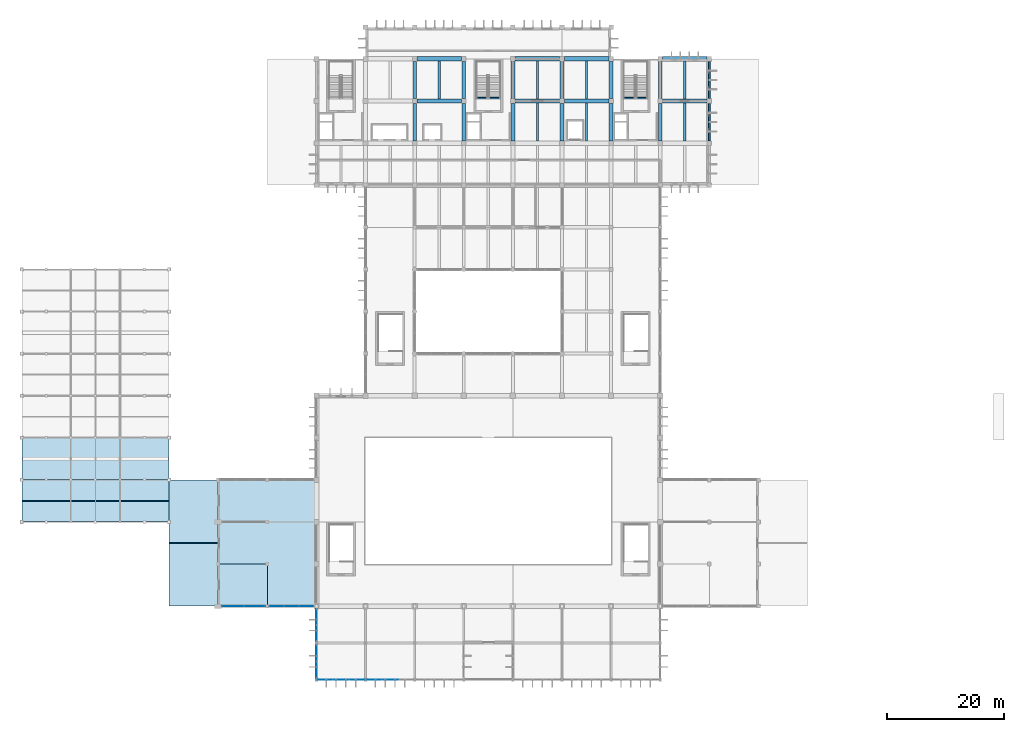
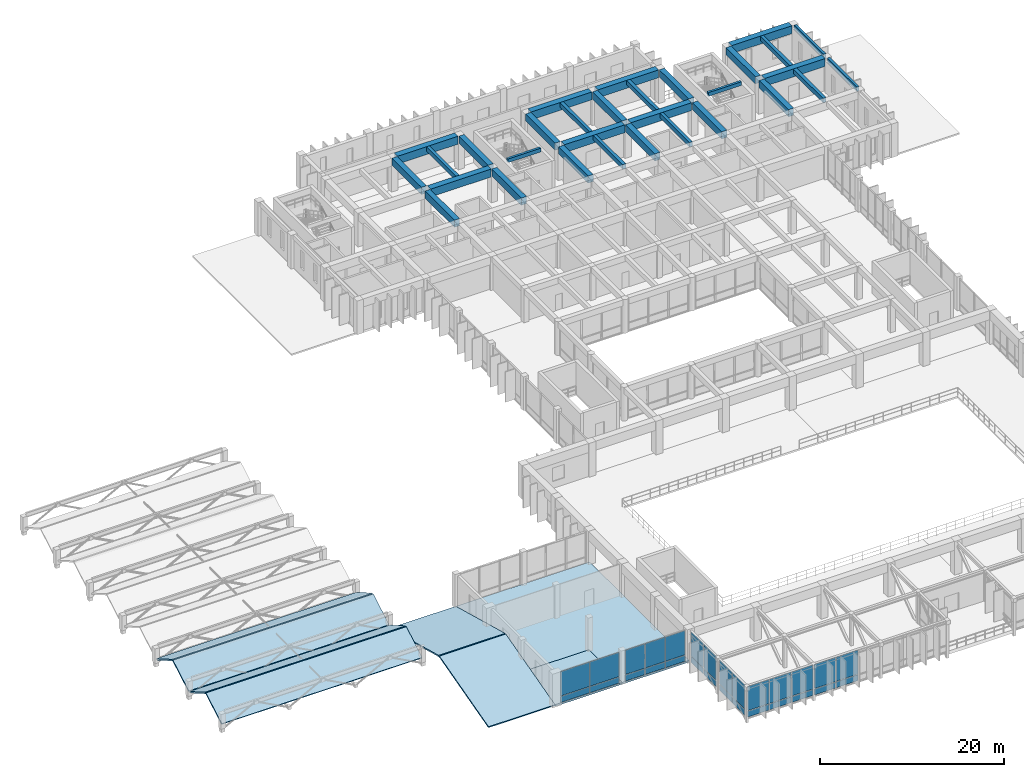
# One storey, part 20 of 40: 31 beams, 28 plates, 8 slabs, 6 elements without a shape of their own.
"""IFC4 building model written with IfcOpenShell, lengths in metres."""

from ifc_helpers import new_model, si_unit, direction, frame, origin, origin_2d, place, context, subcontext, project, spatial, polyline, rectangle, outline, extrude, material, layer, layer_set, material_profile, profile_set, type_object, element, aggregate, save


model = new_model("IFC4")

# Units and contexts
model_context = context("Model", 3, precision=1e-05, world=origin(), true_north=direction((0.0, 1.0)))
body_context = subcontext(model_context, "Body", "Model", "MODEL_VIEW")
ifc_project = project(units=[si_unit("LENGTHUNIT", "METRE"), si_unit("AREAUNIT", "SQUARE_METRE"), si_unit("VOLUMEUNIT", "CUBIC_METRE"), si_unit("PLANEANGLEUNIT", "RADIAN"), si_unit("MASSUNIT", "GRAM", prefix="KILO")], contexts=[model_context])

# Site, building, storey
site_placement = place(None, origin())
site = spatial("IfcSite", under=ifc_project, at=site_placement, CompositionType="ELEMENT")
building_placement = place(site_placement, origin())
building = spatial("IfcBuilding", under=site, at=building_placement, Name="Kenerak Square Central Library", CompositionType="ELEMENT")
storey_placement = place(building_placement, frame((0.0, 0.0, 14.39990234375)))
storey = spatial("IfcBuildingStorey", under=building, at=storey_placement, Name="L03", CompositionType="ELEMENT", Elevation=14.39990234375)

# Beams
ifc_material_1 = material(Name="Concrete C45/55", Category="concrete")
ifc_material_profile_1 = material_profile(ifc_material_1, rectangle(XDim=0.64990234375, YDim=0.949951171875, at=origin_2d()), Name="RC 650x950")
ifc_profile_set_1 = profile_set([ifc_material_profile_1], Name="Concrete C45/55")
beam_type_1 = type_object("IfcBeamType", Name="Book Stack Girder B-02 RC 650x950 C45/55", PredefinedType="BEAM", material=ifc_profile_set_1)
beam_1_placement = place(storey_placement, frame((75.199951171875, 96.39990234375, 4.005126953125), z_axis=(0.0, 1.0, 0.0), x_axis=(-1.0, 0.0, 0.0)))
element("IfcBeam", 1, at=beam_1_placement, inside=storey, type_object=beam_type_1, Name="Beam B-02 L03 1473", PredefinedType="BEAM", context=body_context, shape_type="SweptSolid", body=[
    extrude(rectangle(XDim=0.64990234375, YDim=0.949951171875, at=origin_2d()), origin(), (0.0, 0.0, 1.0), 6.400146484375),
])
beam_2_placement = place(storey_placement, frame((75.199951171875, 103.60009765625, 4.005126953125), z_axis=(0.0, 1.0, 0.0), x_axis=(-1.0, 0.0, 0.0)))
element("IfcBeam", 2, at=beam_2_placement, inside=storey, type_object=beam_type_1, Name="Beam B-02 L03 1474", PredefinedType="BEAM", context=body_context, shape_type="SweptSolid", body=[
    extrude(rectangle(XDim=0.64990234375, YDim=0.949951171875, at=origin_2d()), origin(), (0.0, 0.0, 1.0), 6.39990234375),
])
beam_3_placement = place(storey_placement, frame((83.60009765625, 96.39990234375, 4.005126953125), z_axis=(0.0, 1.0, 0.0), x_axis=(-1.0, 0.0, 0.0)))
element("IfcBeam", 3, at=beam_3_placement, inside=storey, type_object=beam_type_1, Name="Beam B-02 L03 1479", PredefinedType="BEAM", context=body_context, shape_type="SweptSolid", body=[
    extrude(rectangle(XDim=0.64990234375, YDim=0.949951171875, at=origin_2d()), origin(), (0.0, 0.0, 1.0), 6.400146484375),
])
beam_4_placement = place(storey_placement, frame((83.60009765625, 103.60009765625, 4.005126953125), z_axis=(0.0, 1.0, 0.0), x_axis=(-1.0, 0.0, 0.0)))
element("IfcBeam", 4, at=beam_4_placement, inside=storey, type_object=beam_type_1, Name="Beam B-02 L03 1480", PredefinedType="BEAM", context=body_context, shape_type="SweptSolid", body=[
    extrude(rectangle(XDim=0.64990234375, YDim=0.949951171875, at=origin_2d()), origin(), (0.0, 0.0, 1.0), 6.39990234375),
])
beam_5_placement = place(storey_placement, frame((92.0, 96.39990234375, 4.005126953125), z_axis=(0.0, 1.0, 0.0), x_axis=(-1.0, 0.0, 0.0)))
element("IfcBeam", 5, at=beam_5_placement, inside=storey, type_object=beam_type_1, Name="Beam B-02 L03 1485", PredefinedType="BEAM", context=body_context, shape_type="SweptSolid", body=[
    extrude(rectangle(XDim=0.64990234375, YDim=0.949951171875, at=origin_2d()), origin(), (0.0, 0.0, 1.0), 6.400146484375),
])
beam_6_placement = place(storey_placement, frame((92.0, 103.60009765625, 4.005126953125), z_axis=(0.0, 1.0, 0.0), x_axis=(-1.0, 0.0, 0.0)))
element("IfcBeam", 6, at=beam_6_placement, inside=storey, type_object=beam_type_1, Name="Beam B-02 L03 1486", PredefinedType="BEAM", context=body_context, shape_type="SweptSolid", body=[
    extrude(rectangle(XDim=0.64990234375, YDim=0.949951171875, at=origin_2d()), origin(), (0.0, 0.0, 1.0), 6.39990234375),
])
beam_7_placement = place(storey_placement, frame((100.39990234375, 96.39990234375, 4.005126953125), z_axis=(0.0, 1.0, 0.0), x_axis=(-1.0, 0.0, 0.0)))
element("IfcBeam", 7, at=beam_7_placement, inside=storey, type_object=beam_type_1, Name="Beam B-02 L03 1493", PredefinedType="BEAM", context=body_context, shape_type="SweptSolid", body=[
    extrude(rectangle(XDim=0.64990234375, YDim=0.949951171875, at=origin_2d()), origin(), (0.0, 0.0, 1.0), 6.400146484375),
])
beam_8_placement = place(storey_placement, frame((100.39990234375, 103.60009765625, 4.005126953125), z_axis=(0.0, 1.0, 0.0), x_axis=(-1.0, 0.0, 0.0)))
element("IfcBeam", 8, at=beam_8_placement, inside=storey, type_object=beam_type_1, Name="Beam B-02 L03 1494", PredefinedType="BEAM", context=body_context, shape_type="SweptSolid", body=[
    extrude(rectangle(XDim=0.64990234375, YDim=0.949951171875, at=origin_2d()), origin(), (0.0, 0.0, 1.0), 6.39990234375),
])
beam_9_placement = place(storey_placement, frame((108.800048828125, 96.39990234375, 4.005126953125), z_axis=(0.0, 1.0, 0.0), x_axis=(-1.0, 0.0, 0.0)))
element("IfcBeam", 9, at=beam_9_placement, inside=storey, type_object=beam_type_1, Name="Beam B-02 L03 1501", PredefinedType="BEAM", context=body_context, shape_type="SweptSolid", body=[
    extrude(rectangle(XDim=0.64990234375, YDim=0.949951171875, at=origin_2d()), origin(), (0.0, 0.0, 1.0), 6.400146484375),
])
beam_10_placement = place(storey_placement, frame((108.800048828125, 103.60009765625, 4.005126953125), z_axis=(0.0, 1.0, 0.0), x_axis=(-1.0, 0.0, 0.0)))
element("IfcBeam", 10, at=beam_10_placement, inside=storey, type_object=beam_type_1, Name="Beam B-02 L03 1502", PredefinedType="BEAM", context=body_context, shape_type="SweptSolid", body=[
    extrude(rectangle(XDim=0.64990234375, YDim=0.949951171875, at=origin_2d()), origin(), (0.0, 0.0, 1.0), 6.39990234375),
])
beam_11_placement = place(storey_placement, frame((117.199951171875, 96.39990234375, 4.005126953125), z_axis=(0.0, 1.0, 0.0), x_axis=(-1.0, 0.0, 0.0)))
element("IfcBeam", 11, at=beam_11_placement, inside=storey, type_object=beam_type_1, Name="Beam B-02 L03 1504", PredefinedType="BEAM", context=body_context, shape_type="SweptSolid", body=[
    extrude(rectangle(XDim=0.64990234375, YDim=0.949951171875, at=origin_2d()), origin(), (0.0, 0.0, 1.0), 6.400146484375),
])
beam_12_placement = place(storey_placement, frame((117.199951171875, 103.60009765625, 4.005126953125), z_axis=(0.0, 1.0, 0.0), x_axis=(-1.0, 0.0, 0.0)))
element("IfcBeam", 12, at=beam_12_placement, inside=storey, type_object=beam_type_1, Name="Beam B-02 L03 1505", PredefinedType="BEAM", context=body_context, shape_type="SweptSolid", body=[
    extrude(rectangle(XDim=0.64990234375, YDim=0.949951171875, at=origin_2d()), origin(), (0.0, 0.0, 1.0), 6.39990234375),
])
ifc_material_profile_2 = material_profile(ifc_material_1, rectangle(XDim=0.75, YDim=1.050048828125, at=origin_2d()), Name="RC 750x1050")
ifc_profile_set_2 = profile_set([ifc_material_profile_2], Name="Concrete C45/55")
beam_type_2 = type_object("IfcBeamType", Name="Compact Stack Girder B-01 RC 750x1050 C45/55", PredefinedType="BEAM", material=ifc_profile_set_2)
beam_13_placement = place(storey_placement, frame((75.60009765625, 103.199951171875, 3.955078125), z_axis=(1.0, 0.0, 0.0), x_axis=(0.0, 1.0, 0.0)))
element("IfcBeam", 13, at=beam_13_placement, inside=storey, type_object=beam_type_2, Name="Beam B-01 L03 1452", PredefinedType="BEAM", context=body_context, shape_type="SweptSolid", body=[
    extrude(rectangle(XDim=0.75, YDim=1.050048828125, at=origin_2d()), origin(), (0.0, 0.0, 1.0), 7.599853515625),
])
beam_14_placement = place(storey_placement, frame((92.39990234375, 103.199951171875, 3.955078125), z_axis=(1.0, 0.0, 0.0), x_axis=(0.0, 1.0, 0.0)))
element("IfcBeam", 14, at=beam_14_placement, inside=storey, type_object=beam_type_2, Name="Beam B-01 L03 1453", PredefinedType="BEAM", context=body_context, shape_type="SweptSolid", body=[
    extrude(rectangle(XDim=0.75, YDim=1.050048828125, at=origin_2d()), origin(), (0.0, 0.0, 1.0), 7.60009765625),
])
for number, where, z_axis, x_axis, name in (
    (15, (100.800048828125, 103.199951171875, 3.955078125), (1.0, 0.0, 0.0), (0.0, 1.0, 0.0), "Beam B-01 L03 1454"),
    (16, (117.60009765625, 103.199951171875, 3.955078125), (1.0, 0.0, 0.0), (0.0, 1.0, 0.0), "Beam B-01 L03 1455"),
    (17, (75.60009765625, 110.39990234375, 3.955078125), (1.0, 0.0, 0.0), (0.0, 1.0, 0.0), "Beam B-01 L03 1457"),
):
    element("IfcBeam", number, at=place(storey_placement, frame(where, z_axis=z_axis, x_axis=x_axis)), inside=storey, type_object=beam_type_2, Name=name, PredefinedType="BEAM", context=body_context, shape_type="SweptSolid", body=[
        extrude(rectangle(XDim=0.75, YDim=1.050048828125, at=origin_2d()), origin(), (0.0, 0.0, 1.0), 7.599853515625),
    ])
beam_15_placement = place(storey_placement, frame((92.39990234375, 110.39990234375, 3.955078125), z_axis=(1.0, 0.0, 0.0), x_axis=(0.0, 1.0, 0.0)))
element("IfcBeam", 18, at=beam_15_placement, inside=storey, type_object=beam_type_2, Name="Beam B-01 L03 1458", PredefinedType="BEAM", context=body_context, shape_type="SweptSolid", body=[
    extrude(rectangle(XDim=0.75, YDim=1.050048828125, at=origin_2d()), origin(), (0.0, 0.0, 1.0), 7.60009765625),
])
for number, where, z_axis, x_axis, name in (
    (19, (100.800048828125, 110.39990234375, 3.955078125), (1.0, 0.0, 0.0), (0.0, 1.0, 0.0), "Beam B-01 L03 1459"),
    (20, (117.60009765625, 110.39990234375, 3.955078125), (1.0, 0.0, 0.0), (0.0, 1.0, 0.0), "Beam B-01 L03 1460"),
):
    element("IfcBeam", number, at=place(storey_placement, frame(where, z_axis=z_axis, x_axis=x_axis)), inside=storey, type_object=beam_type_2, Name=name, PredefinedType="BEAM", context=body_context, shape_type="SweptSolid", body=[
        extrude(rectangle(XDim=0.75, YDim=1.050048828125, at=origin_2d()), origin(), (0.0, 0.0, 1.0), 7.599853515625),
    ])
ifc_material_2 = material(Name="Concrete C40/50", Category="concrete")
ifc_material_profile_3 = material_profile(ifc_material_2, rectangle(XDim=0.300048828125, YDim=0.60009765625, at=origin_2d()), Name="RC 300x600")
ifc_profile_set_3 = profile_set([ifc_material_profile_3], Name="Concrete C40/50")
beam_type_3 = type_object("IfcBeamType", Name="Courtyard Spandrel Beam SP-02 RC 300x600 C40/50", PredefinedType="SPANDREL", material=ifc_profile_set_3)
beam_16_placement = place(storey_placement, frame((125.60009765625, 96.39990234375, 4.18017578125), z_axis=(0.0, 1.0, 0.0), x_axis=(-1.0, 0.0, 0.0)))
element("IfcBeam", 21, at=beam_16_placement, inside=storey, type_object=beam_type_3, Name="Beam SP-02 L03 1507", PredefinedType="SPANDREL", context=body_context, shape_type="SweptSolid", body=[
    extrude(rectangle(XDim=0.300048828125, YDim=0.60009765625, at=origin_2d()), origin(), (0.0, 0.0, 1.0), 6.400146484375),
])
beam_17_placement = place(storey_placement, frame((125.60009765625, 103.60009765625, 4.18017578125), z_axis=(0.0, 1.0, 0.0), x_axis=(-1.0, 0.0, 0.0)))
element("IfcBeam", 22, at=beam_17_placement, inside=storey, type_object=beam_type_3, Name="Beam SP-02 L03 1508", PredefinedType="SPANDREL", context=body_context, shape_type="SweptSolid", body=[
    extrude(rectangle(XDim=0.300048828125, YDim=0.60009765625, at=origin_2d()), origin(), (0.0, 0.0, 1.0), 6.39990234375),
])
ifc_material_profile_4 = material_profile(ifc_material_2, rectangle(XDim=0.300048828125, YDim=0.5, at=origin_2d()), Name="RC 300x500")
ifc_profile_set_4 = profile_set([ifc_material_profile_4], Name="Concrete C40/50")
beam_type_4 = type_object("IfcBeamType", Name="Landing Support Beam B-08 RC 300x500 C40/50", PredefinedType="BEAM", material=ifc_profile_set_4)
beam_18_placement = place(storey_placement, frame((85.719970703125, 103.7099609375, 4.22998046875), z_axis=(1.0, 0.0, 0.0), x_axis=(0.0, 1.0, 0.0)))
element("IfcBeam", 23, at=beam_18_placement, inside=storey, type_object=beam_type_4, Name="Stair Threshold Beam B-08 ST-02 L04", PredefinedType="BEAM", context=body_context, shape_type="SweptSolid", body=[
    extrude(rectangle(XDim=0.300048828125, YDim=0.5, at=origin_2d()), origin(), (0.0, 0.0, 1.0), 4.159912109375),
])
beam_19_placement = place(storey_placement, frame((110.919921875, 103.7099609375, 4.22998046875), z_axis=(1.0, 0.0, 0.0), x_axis=(0.0, 1.0, 0.0)))
element("IfcBeam", 24, at=beam_19_placement, inside=storey, type_object=beam_type_4, Name="Stair Threshold Beam B-08 ST-03 L04", PredefinedType="BEAM", context=body_context, shape_type="SweptSolid", body=[
    extrude(rectangle(XDim=0.300048828125, YDim=0.5, at=origin_2d()), origin(), (0.0, 0.0, 1.0), 4.16015625),
])
ifc_material_profile_5 = material_profile(ifc_material_2, rectangle(XDim=0.39990234375, YDim=0.60009765625, at=origin_2d()), Name="RC 400x600")
ifc_profile_set_5 = profile_set([ifc_material_profile_5], Name="Concrete C40/50")
beam_type_5 = type_object("IfcBeamType", Name="Secondary Floor Joist J-01 RC 400x600 C40/50", PredefinedType="JOIST", material=ifc_profile_set_5)
for number, where, z_axis, x_axis, name in (
    (25, (79.39990234375, 103.574951171875, 4.18017578125), (0.0, 1.0, 0.0), (-1.0, 0.0, 0.0), "Joist J-01 L03 1515"),
    (26, (96.199951171875, 96.375, 4.18017578125), (0.0, 1.0, 0.0), (-1.0, 0.0, 0.0), "Joist J-01 L03 1522"),
    (27, (96.199951171875, 103.574951171875, 4.18017578125), (0.0, 1.0, 0.0), (-1.0, 0.0, 0.0), "Joist J-01 L03 1523"),
    (28, (104.60009765625, 96.375, 4.18017578125), (0.0, 1.0, 0.0), (-1.0, 0.0, 0.0), "Joist J-01 L03 1529"),
    (29, (104.60009765625, 103.574951171875, 4.18017578125), (0.0, 1.0, 0.0), (-1.0, 0.0, 0.0), "Joist J-01 L03 1530"),
    (30, (121.39990234375, 96.375, 4.18017578125), (0.0, 1.0, 0.0), (-1.0, 0.0, 0.0), "Joist J-01 L03 1533"),
    (31, (121.39990234375, 103.574951171875, 4.18017578125), (0.0, 1.0, 0.0), (-1.0, 0.0, 0.0), "Joist J-01 L03 1534"),
):
    element("IfcBeam", number, at=place(storey_placement, frame(where, z_axis=z_axis, x_axis=x_axis)), inside=storey, type_object=beam_type_5, Name=name, PredefinedType="JOIST", context=body_context, shape_type="SweptSolid", body=[
        extrude(rectangle(XDim=0.39990234375, YDim=0.60009765625, at=origin_2d()), origin(), (0.0, 0.0, 1.0), 6.449951171875),
    ])

# Slabs
ifc_layer_1 = layer(ifc_material_2, 0.22509765625)
ifc_layer_set_1 = layer_set([ifc_layer_1], Name="Concrete C40/50")
slab_type_1 = type_object("IfcSlabType", Name="General Reading Room Slab FS-225 C40/50", PredefinedType="FLOOR", material=ifc_layer_set_1)
slab_1_placement = place(storey_placement, frame((0.0, 0.0, -0.224853515625)))
element("IfcSlab", 32, at=slab_1_placement, inside=storey, type_object=slab_type_1, Name="V6 Floor Slab L03 109", PredefinedType="FLOOR", context=body_context, shape_type="SweptSolid", body=[
    extrude(outline(polyline([(41.60009765625, 38.39990234375), (58.39990234375, 38.39990234375), (58.39990234375, 16.800048828125), (50.0, 16.800048828125), (50.0, 24.0), (41.60009765625, 24.0), (41.60009765625, 38.39990234375)])), origin(), (0.0, 0.0, 1.0), 0.224853515625),
])
slab_2_placement = place(storey_placement, frame((0.0, 0.0, -0.224853515625)))
element("IfcSlab", 33, at=slab_2_placement, inside=storey, type_object=slab_type_1, Name="V6 Floor Slab L03 110", PredefinedType="FLOOR", context=body_context, shape_type="SweptSolid", body=[
    extrude(outline(polyline([(50.0, 16.800048828125), (50.0, 24.0), (41.60009765625, 24.0), (41.60009765625, 16.800048828125), (50.0, 16.800048828125)])), origin(), (0.0, 0.0, 1.0), 0.224853515625),
])

# Curtain wall, plates
ifc_material_3 = material(Name="Anodised aluminium and solar-control low-E glazing", Category="aluminium")
curtain_wall_type_1 = type_object("IfcCurtainWallType", Name="Curtain Wall CW-V6-76x42 7625x4230", PredefinedType="USERDEFINED", material=ifc_material_3)
curtain_wall_1_placement = place(storey_placement, origin())
curtain_wall_1 = element("IfcCurtainWall", 34, at=curtain_wall_1_placement, inside=storey, type_object=curtain_wall_type_1, Name="Curtain Wall CW-V6-76x42 L03 0139", ObjectType="CURTAIN WALL", PredefinedType="USERDEFINED")
ifc_material_4 = material(Name="Solar-control low-E laminated double glazing", Category="glass")
ifc_layer_2 = layer(ifc_material_4, 0.02392578125)
ifc_layer_set_2 = layer_set([ifc_layer_2], Name="Solar-control low-E laminated double glazing")
plate_type_1 = type_object("IfcPlateType", Name="Low-E Double Glazed Curtain Panel CP-24", PredefinedType="CURTAIN_PANEL", material=ifc_layer_set_2)
plate_1_placement = place(storey_placement, frame((56.662841796875, 16.800048828125, 0.06494140625), z_axis=(0.0, 0.0, 1.0), x_axis=(-1.0, 0.0, 0.0)))
plate_1 = element("IfcPlate", 35, at=plate_1_placement, type_object=plate_type_1, Name="CW-V6-76x42 Panel 1.1", PredefinedType="CURTAIN_PANEL", context=body_context, shape_type="SweptSolid", body=[
    extrude(rectangle(XDim=2.444091796875, YDim=0.02392578125, at=origin_2d()), origin(), (0.0, 0.0, 1.0), 0.802490234375),
])
plate_2_placement = place(storey_placement, frame((56.662841796875, 16.800048828125, 0.9326171875), z_axis=(0.0, 0.0, 1.0), x_axis=(-1.0, 0.0, 0.0)))
plate_2 = element("IfcPlate", 36, at=plate_2_placement, type_object=plate_type_1, Name="CW-V6-76x42 Panel 1.2", PredefinedType="CURTAIN_PANEL", context=body_context, shape_type="SweptSolid", body=[
    extrude(rectangle(XDim=2.444091796875, YDim=0.02392578125, at=origin_2d()), origin(), (0.0, 0.0, 1.0), 3.232421875),
])
plate_3_placement = place(storey_placement, frame((54.137451171875, 16.800048828125, 0.06494140625), z_axis=(0.0, 0.0, 1.0), x_axis=(-1.0, 0.0, 0.0)))
plate_3 = element("IfcPlate", 37, at=plate_3_placement, type_object=plate_type_1, Name="CW-V6-76x42 Panel 2.1", PredefinedType="CURTAIN_PANEL", context=body_context, shape_type="SweptSolid", body=[
    extrude(rectangle(XDim=2.4765625, YDim=0.02392578125, at=origin_2d()), origin(), (0.0, 0.0, 1.0), 0.802490234375),
])
plate_4_placement = place(storey_placement, frame((54.137451171875, 16.800048828125, 0.9326171875), z_axis=(0.0, 0.0, 1.0), x_axis=(-1.0, 0.0, 0.0)))
plate_4 = element("IfcPlate", 38, at=plate_4_placement, type_object=plate_type_1, Name="CW-V6-76x42 Panel 2.2", PredefinedType="CURTAIN_PANEL", context=body_context, shape_type="SweptSolid", body=[
    extrude(rectangle(XDim=2.4765625, YDim=0.02392578125, at=origin_2d()), origin(), (0.0, 0.0, 1.0), 3.232421875),
])
plate_5_placement = place(storey_placement, frame((51.612060546875, 16.800048828125, 0.06494140625), z_axis=(0.0, 0.0, 1.0), x_axis=(-1.0, 0.0, 0.0)))
plate_5 = element("IfcPlate", 39, at=plate_5_placement, type_object=plate_type_1, Name="CW-V6-76x42 Panel 3.1", PredefinedType="CURTAIN_PANEL", context=body_context, shape_type="SweptSolid", body=[
    extrude(rectangle(XDim=2.444091796875, YDim=0.02392578125, at=origin_2d()), origin(), (0.0, 0.0, 1.0), 0.802490234375),
])
plate_6_placement = place(storey_placement, frame((51.612060546875, 16.800048828125, 0.9326171875), z_axis=(0.0, 0.0, 1.0), x_axis=(-1.0, 0.0, 0.0)))
plate_6 = element("IfcPlate", 40, at=plate_6_placement, type_object=plate_type_1, Name="CW-V6-76x42 Panel 3.2", PredefinedType="CURTAIN_PANEL", context=body_context, shape_type="SweptSolid", body=[
    extrude(rectangle(XDim=2.444091796875, YDim=0.02392578125, at=origin_2d()), origin(), (0.0, 0.0, 1.0), 3.232421875),
])
aggregate(curtain_wall_1, [plate_1, plate_2, plate_3, plate_4, plate_5, plate_6])

curtain_wall_type_2 = type_object("IfcCurtainWallType", Name="Curtain Wall CW-V6-74x42 7475x4230", PredefinedType="USERDEFINED", material=ifc_material_3)
curtain_wall_2_placement = place(storey_placement, origin())
curtain_wall_2 = element("IfcCurtainWall", 41, at=curtain_wall_2_placement, inside=storey, type_object=curtain_wall_type_2, Name="Curtain Wall CW-V6-74x42 L03 0140", ObjectType="CURTAIN WALL", PredefinedType="USERDEFINED")
plate_7_placement = place(storey_placement, frame((47.7900390625, 16.800048828125, 0.06494140625), z_axis=(0.0, 0.0, 1.0), x_axis=(-1.0, 0.0, 0.0)))
plate_7 = element("IfcPlate", 42, at=plate_7_placement, type_object=plate_type_1, Name="CW-V6-74x42 Panel 1.1", PredefinedType="CURTAIN_PANEL", context=body_context, shape_type="SweptSolid", body=[
    extrude(rectangle(XDim=3.639892578125, YDim=0.02392578125, at=origin_2d()), origin(), (0.0, 0.0, 1.0), 0.802490234375),
])
plate_8_placement = place(storey_placement, frame((47.7900390625, 16.800048828125, 0.9326171875), z_axis=(0.0, 0.0, 1.0), x_axis=(-1.0, 0.0, 0.0)))
plate_8 = element("IfcPlate", 43, at=plate_8_placement, type_object=plate_type_1, Name="CW-V6-74x42 Panel 1.2", PredefinedType="CURTAIN_PANEL", context=body_context, shape_type="SweptSolid", body=[
    extrude(rectangle(XDim=3.639892578125, YDim=0.02392578125, at=origin_2d()), origin(), (0.0, 0.0, 1.0), 3.232421875),
])
plate_9_placement = place(storey_placement, frame((44.0849609375, 16.800048828125, 0.06494140625), z_axis=(0.0, 0.0, 1.0), x_axis=(-1.0, 0.0, 0.0)))
plate_9 = element("IfcPlate", 44, at=plate_9_placement, type_object=plate_type_1, Name="CW-V6-74x42 Panel 2.1", PredefinedType="CURTAIN_PANEL", context=body_context, shape_type="SweptSolid", body=[
    extrude(rectangle(XDim=3.639892578125, YDim=0.02392578125, at=origin_2d()), origin(), (0.0, 0.0, 1.0), 0.802490234375),
])
plate_10_placement = place(storey_placement, frame((44.0849609375, 16.800048828125, 0.9326171875), z_axis=(0.0, 0.0, 1.0), x_axis=(-1.0, 0.0, 0.0)))
plate_10 = element("IfcPlate", 45, at=plate_10_placement, type_object=plate_type_1, Name="CW-V6-74x42 Panel 2.2", PredefinedType="CURTAIN_PANEL", context=body_context, shape_type="SweptSolid", body=[
    extrude(rectangle(XDim=3.639892578125, YDim=0.02392578125, at=origin_2d()), origin(), (0.0, 0.0, 1.0), 3.232421875),
])
aggregate(curtain_wall_2, [plate_7, plate_8, plate_9, plate_10])

# Slabs
ifc_material_5 = material(Name="Precast concrete C40/50", Category="concrete")
ifc_layer_3 = layer(ifc_material_5, 0.179931640625)
ifc_layer_set_3 = layer_set([ifc_layer_3], Name="Precast concrete C40/50")
slab_type_2 = type_object("IfcSlabType", Name="Pitched Standing-Seam Acoustic Roof Deck RS-180 C40/50", PredefinedType="ROOF", material=ifc_layer_set_3)
slab_3_placement = place(storey_placement, frame((8.0, 31.25, 0.4501953125), z_axis=(0.0, -0.499365324853, 0.866391523697), x_axis=(1.0, 0.0, 0.0)))
element("IfcSlab", 46, at=slab_3_placement, inside=storey, type_object=slab_type_2, Name="Auditorium Acoustic Fold Roof 1S", PredefinedType="ROOF", context=body_context, shape_type="SweptSolid", body=[
    extrude(outline(polyline([(0.0, 0.0), (25.199951171875, 0.0), (25.199951171875, 4.005083854371317), (0.0, 4.005083854371317), (0.0, 0.0)])), origin(), (0.0, 0.0, -1.0), 0.179931640625),
])
slab_4_placement = place(storey_placement, frame((8.0, 34.8798828125, 2.4501953125), z_axis=(0.0, 0.499338952924, 0.86640672325), x_axis=(1.0, 0.0, 0.0)))
element("IfcSlab", 47, at=slab_4_placement, inside=storey, type_object=slab_type_2, Name="Auditorium Acoustic Fold Roof 1N", PredefinedType="ROOF", context=body_context, shape_type="SweptSolid", body=[
    extrude(outline(polyline([(0.0, 0.0), (25.199951171875, 0.0), (25.199951171875, 4.005295377594871), (0.0, 4.005295377594871), (0.0, 0.0)])), origin(), (0.0, 0.0, -1.0), 0.179931640625),
])
for number, where, z_axis, x_axis, name in (
    (48, (8.0, 38.449951171875, 0.4501953125), (0.0, -0.499365324853, 0.866391523697), (1.0, 0.0, 0.0), "Auditorium Acoustic Fold Roof 2S"),
    (49, (8.0, 42.080078125, 2.4501953125), (0.0, 0.499365324853, 0.866391523697), (1.0, 0.0, 0.0), "Auditorium Acoustic Fold Roof 2N"),
):
    element("IfcSlab", number, at=place(storey_placement, frame(where, z_axis=z_axis, x_axis=x_axis)), inside=storey, type_object=slab_type_2, Name=name, PredefinedType="ROOF", context=body_context, shape_type="SweptSolid", body=[
        extrude(outline(polyline([(0.0, 0.0), (25.199951171875, 0.0), (25.199951171875, 4.005083854371317), (0.0, 4.005083854371317), (0.0, 0.0)])), origin(), (0.0, 0.0, -1.0), 0.179931640625),
    ])
for number, where, z_axis, x_axis, name in (
    (50, (33.199951171875, 16.800048828125, 0.0), (0.0, -0.261148776659, 0.965298563373), (1.0, 0.0, 0.0), "Tropical Overhang Roof V6W-STEP South"),
    (51, (33.199951171875, 27.679931640625, 2.900146484375), (0.0, 0.261148776659, 0.965298563373), (1.0, 0.0, 0.0), "Tropical Overhang Roof V6W-STEP North"),
):
    element("IfcSlab", number, at=place(storey_placement, frame(where, z_axis=z_axis, x_axis=x_axis)), inside=storey, type_object=slab_type_2, Name=name, PredefinedType="ROOF", context=body_context, shape_type="SweptSolid", body=[
        extrude(outline(polyline([(0.0, 0.0), (8.360107421875, 0.0), (8.360107421875, 11.105342025651032), (0.0, 11.105342025651032), (0.0, 0.0)])), origin(), (0.0, 0.0, -1.0), 0.179931640625),
    ])

# Curtain wall, plates
curtain_wall_type_3 = type_object("IfcCurtainWallType", Name="Curtain Wall CW-V1-84x42 8400x4230", PredefinedType="USERDEFINED", material=ifc_material_3)
curtain_wall_3_placement = place(storey_placement, origin())
curtain_wall_3 = element("IfcCurtainWall", 52, at=curtain_wall_3_placement, inside=storey, type_object=curtain_wall_type_3, Name="Curtain Wall CW-V1-84x42 L03 0135", ObjectType="CURTAIN WALL", PredefinedType="USERDEFINED")
ifc_material_6 = material(Name="Triple-laminated solar-control low-E glazing", Category="glass")
ifc_layer_4 = layer(ifc_material_6, 0.031982421875)
ifc_layer_set_4 = layer_set([ifc_layer_4], Name="Triple-laminated solar-control low-E glazing")
plate_type_2 = type_object("IfcPlateType", Name="Triple-Laminated Reading Hall Panel CP-32", PredefinedType="CURTAIN_PANEL", material=ifc_layer_set_4)
plate_11_placement = place(storey_placement, frame((71.0, 4.199951171875, 0.074951171875), z_axis=(0.0, 0.0, 1.0), x_axis=(-1.0, 0.0, 0.0)))
plate_11 = element("IfcPlate", 53, at=plate_11_placement, type_object=plate_type_2, Name="CW-V1-84x42 Panel 2.1", PredefinedType="CURTAIN_PANEL", context=body_context, shape_type="SweptSolid", body=[
    extrude(rectangle(XDim=2.72509765625, YDim=0.031982421875, at=origin_2d()), origin(), (0.0, 0.0, 1.0), 0.78759765625),
])
plate_12_placement = place(storey_placement, frame((71.0, 4.199951171875, 0.9375), z_axis=(0.0, 0.0, 1.0), x_axis=(-1.0, 0.0, 0.0)))
plate_12 = element("IfcPlate", 54, at=plate_12_placement, type_object=plate_type_2, Name="CW-V1-84x42 Panel 2.2", PredefinedType="CURTAIN_PANEL", context=body_context, shape_type="SweptSolid", body=[
    extrude(rectangle(XDim=2.72509765625, YDim=0.031982421875, at=origin_2d()), origin(), (0.0, 0.0, 1.0), 3.217529296875),
])
plate_13_placement = place(storey_placement, frame((68.21875, 4.199951171875, 0.074951171875), z_axis=(0.0, 0.0, 1.0), x_axis=(-1.0, 0.0, 0.0)))
plate_13 = element("IfcPlate", 55, at=plate_13_placement, type_object=plate_type_2, Name="CW-V1-84x42 Panel 3.1", PredefinedType="CURTAIN_PANEL", context=body_context, shape_type="SweptSolid", body=[
    extrude(rectangle(XDim=2.6875, YDim=0.031982421875, at=origin_2d()), origin(), (0.0, 0.0, 1.0), 0.78759765625),
])
plate_14_placement = place(storey_placement, frame((68.21875, 4.199951171875, 0.9375), z_axis=(0.0, 0.0, 1.0), x_axis=(-1.0, 0.0, 0.0)))
plate_14 = element("IfcPlate", 56, at=plate_14_placement, type_object=plate_type_2, Name="CW-V1-84x42 Panel 3.2", PredefinedType="CURTAIN_PANEL", context=body_context, shape_type="SweptSolid", body=[
    extrude(rectangle(XDim=2.6875, YDim=0.031982421875, at=origin_2d()), origin(), (0.0, 0.0, 1.0), 3.217529296875),
])
aggregate(curtain_wall_3, [plate_11, plate_12, plate_13, plate_14])

curtain_wall_4_placement = place(storey_placement, origin())
curtain_wall_4 = element("IfcCurtainWall", 57, at=curtain_wall_4_placement, inside=storey, type_object=curtain_wall_type_3, Name="Curtain Wall CW-V1-84x42 L03 0136", ObjectType="CURTAIN WALL", PredefinedType="USERDEFINED")
plate_15_placement = place(storey_placement, frame((65.38134765625, 4.199951171875, 0.074951171875), z_axis=(0.0, 0.0, 1.0), x_axis=(-1.0, 0.0, 0.0)))
plate_15 = element("IfcPlate", 58, at=plate_15_placement, type_object=plate_type_2, Name="CW-V1-84x42 Panel 1.1", PredefinedType="CURTAIN_PANEL", context=body_context, shape_type="SweptSolid", body=[
    extrude(rectangle(XDim=2.6875, YDim=0.031982421875, at=origin_2d()), origin(), (0.0, 0.0, 1.0), 0.78759765625),
])
plate_16_placement = place(storey_placement, frame((65.38134765625, 4.199951171875, 0.9375), z_axis=(0.0, 0.0, 1.0), x_axis=(-1.0, 0.0, 0.0)))
plate_16 = element("IfcPlate", 59, at=plate_16_placement, type_object=plate_type_2, Name="CW-V1-84x42 Panel 1.2", PredefinedType="CURTAIN_PANEL", context=body_context, shape_type="SweptSolid", body=[
    extrude(rectangle(XDim=2.6875, YDim=0.031982421875, at=origin_2d()), origin(), (0.0, 0.0, 1.0), 3.217529296875),
])
plate_17_placement = place(storey_placement, frame((62.60009765625, 4.199951171875, 0.074951171875), z_axis=(0.0, 0.0, 1.0), x_axis=(-1.0, 0.0, 0.0)))
plate_17 = element("IfcPlate", 60, at=plate_17_placement, type_object=plate_type_2, Name="CW-V1-84x42 Panel 2.1", PredefinedType="CURTAIN_PANEL", context=body_context, shape_type="SweptSolid", body=[
    extrude(rectangle(XDim=2.72509765625, YDim=0.031982421875, at=origin_2d()), origin(), (0.0, 0.0, 1.0), 0.78759765625),
])
plate_18_placement = place(storey_placement, frame((62.60009765625, 4.199951171875, 0.9375), z_axis=(0.0, 0.0, 1.0), x_axis=(-1.0, 0.0, 0.0)))
plate_18 = element("IfcPlate", 61, at=plate_18_placement, type_object=plate_type_2, Name="CW-V1-84x42 Panel 2.2", PredefinedType="CURTAIN_PANEL", context=body_context, shape_type="SweptSolid", body=[
    extrude(rectangle(XDim=2.72509765625, YDim=0.031982421875, at=origin_2d()), origin(), (0.0, 0.0, 1.0), 3.217529296875),
])
plate_19_placement = place(storey_placement, frame((59.81884765625, 4.199951171875, 0.074951171875), z_axis=(0.0, 0.0, 1.0), x_axis=(-1.0, 0.0, 0.0)))
plate_19 = element("IfcPlate", 62, at=plate_19_placement, type_object=plate_type_2, Name="CW-V1-84x42 Panel 3.1", PredefinedType="CURTAIN_PANEL", context=body_context, shape_type="SweptSolid", body=[
    extrude(rectangle(XDim=2.6875, YDim=0.031982421875, at=origin_2d()), origin(), (0.0, 0.0, 1.0), 0.78759765625),
])
plate_20_placement = place(storey_placement, frame((59.81884765625, 4.199951171875, 0.9375), z_axis=(0.0, 0.0, 1.0), x_axis=(-1.0, 0.0, 0.0)))
plate_20 = element("IfcPlate", 63, at=plate_20_placement, type_object=plate_type_2, Name="CW-V1-84x42 Panel 3.2", PredefinedType="CURTAIN_PANEL", context=body_context, shape_type="SweptSolid", body=[
    extrude(rectangle(XDim=2.6875, YDim=0.031982421875, at=origin_2d()), origin(), (0.0, 0.0, 1.0), 3.217529296875),
])
aggregate(curtain_wall_4, [plate_15, plate_16, plate_17, plate_18, plate_19, plate_20])

curtain_wall_type_4 = type_object("IfcCurtainWallType", Name="Curtain Wall CW-V1-57x42 5700x4230", PredefinedType="USERDEFINED", material=ifc_material_3)
curtain_wall_5_placement = place(storey_placement, origin())
curtain_wall_5 = element("IfcCurtainWall", 64, at=curtain_wall_5_placement, inside=storey, type_object=curtain_wall_type_4, Name="Curtain Wall CW-V1-57x42 L03 0137", ObjectType="CURTAIN WALL", PredefinedType="USERDEFINED")
plate_21_placement = place(storey_placement, frame((58.39990234375, 5.94384765625, 0.074951171875), z_axis=(0.0, 0.0, 1.0), x_axis=(0.0, 1.0, 0.0)))
plate_21 = element("IfcPlate", 65, at=plate_21_placement, type_object=plate_type_2, Name="CW-V1-57x42 Panel 1.1", PredefinedType="CURTAIN_PANEL", context=body_context, shape_type="SweptSolid", body=[
    extrude(rectangle(XDim=2.737548828125, YDim=0.031982421875, at=origin_2d()), origin(), (0.0, 0.0, 1.0), 0.78759765625),
])
plate_22_placement = place(storey_placement, frame((58.39990234375, 5.94384765625, 0.9375), z_axis=(0.0, 0.0, 1.0), x_axis=(0.0, 1.0, 0.0)))
plate_22 = element("IfcPlate", 66, at=plate_22_placement, type_object=plate_type_2, Name="CW-V1-57x42 Panel 1.2", PredefinedType="CURTAIN_PANEL", context=body_context, shape_type="SweptSolid", body=[
    extrude(rectangle(XDim=2.737548828125, YDim=0.031982421875, at=origin_2d()), origin(), (0.0, 0.0, 1.0), 3.217529296875),
])
plate_23_placement = place(storey_placement, frame((58.39990234375, 8.75634765625, 0.074951171875), z_axis=(0.0, 0.0, 1.0), x_axis=(0.0, 1.0, 0.0)))
plate_23 = element("IfcPlate", 67, at=plate_23_placement, type_object=plate_type_2, Name="CW-V1-57x42 Panel 2.1", PredefinedType="CURTAIN_PANEL", context=body_context, shape_type="SweptSolid", body=[
    extrude(rectangle(XDim=2.737548828125, YDim=0.031982421875, at=origin_2d()), origin(), (0.0, 0.0, 1.0), 0.78759765625),
])
plate_24_placement = place(storey_placement, frame((58.39990234375, 8.75634765625, 0.9375), z_axis=(0.0, 0.0, 1.0), x_axis=(0.0, 1.0, 0.0)))
plate_24 = element("IfcPlate", 68, at=plate_24_placement, type_object=plate_type_2, Name="CW-V1-57x42 Panel 2.2", PredefinedType="CURTAIN_PANEL", context=body_context, shape_type="SweptSolid", body=[
    extrude(rectangle(XDim=2.737548828125, YDim=0.031982421875, at=origin_2d()), origin(), (0.0, 0.0, 1.0), 3.217529296875),
])
aggregate(curtain_wall_5, [plate_21, plate_22, plate_23, plate_24])

curtain_wall_type_5 = type_object("IfcCurtainWallType", Name="Curtain Wall CW-V1-55x42 5550x4230", PredefinedType="USERDEFINED", material=ifc_material_3)
curtain_wall_6_placement = place(storey_placement, origin())
curtain_wall_6 = element("IfcCurtainWall", 69, at=curtain_wall_6_placement, inside=storey, type_object=curtain_wall_type_5, Name="Curtain Wall CW-V1-55x42 L03 0138", ObjectType="CURTAIN WALL", PredefinedType="USERDEFINED")
plate_25_placement = place(storey_placement, frame((58.39990234375, 12.206298828125, 0.074951171875), z_axis=(0.0, 0.0, 1.0), x_axis=(0.0, 1.0, 0.0)))
plate_25 = element("IfcPlate", 70, at=plate_25_placement, type_object=plate_type_2, Name="CW-V1-55x42 Panel 1.1", PredefinedType="CURTAIN_PANEL", context=body_context, shape_type="SweptSolid", body=[
    extrude(rectangle(XDim=2.66259765625, YDim=0.031982421875, at=origin_2d()), origin(), (0.0, 0.0, 1.0), 0.78759765625),
])
plate_26_placement = place(storey_placement, frame((58.39990234375, 12.206298828125, 0.9375), z_axis=(0.0, 0.0, 1.0), x_axis=(0.0, 1.0, 0.0)))
plate_26 = element("IfcPlate", 71, at=plate_26_placement, type_object=plate_type_2, Name="CW-V1-55x42 Panel 1.2", PredefinedType="CURTAIN_PANEL", context=body_context, shape_type="SweptSolid", body=[
    extrude(rectangle(XDim=2.66259765625, YDim=0.031982421875, at=origin_2d()), origin(), (0.0, 0.0, 1.0), 3.217529296875),
])
plate_27_placement = place(storey_placement, frame((58.39990234375, 14.94384765625, 0.074951171875), z_axis=(0.0, 0.0, 1.0), x_axis=(0.0, 1.0, 0.0)))
plate_27 = element("IfcPlate", 72, at=plate_27_placement, type_object=plate_type_2, Name="CW-V1-55x42 Panel 2.1", PredefinedType="CURTAIN_PANEL", context=body_context, shape_type="SweptSolid", body=[
    extrude(rectangle(XDim=2.66259765625, YDim=0.031982421875, at=origin_2d()), origin(), (0.0, 0.0, 1.0), 0.78759765625),
])
plate_28_placement = place(storey_placement, frame((58.39990234375, 14.94384765625, 0.9375), z_axis=(0.0, 0.0, 1.0), x_axis=(0.0, 1.0, 0.0)))
plate_28 = element("IfcPlate", 73, at=plate_28_placement, type_object=plate_type_2, Name="CW-V1-55x42 Panel 2.2", PredefinedType="CURTAIN_PANEL", context=body_context, shape_type="SweptSolid", body=[
    extrude(rectangle(XDim=2.66259765625, YDim=0.031982421875, at=origin_2d()), origin(), (0.0, 0.0, 1.0), 3.217529296875),
])
aggregate(curtain_wall_6, [plate_25, plate_26, plate_27, plate_28])

save(model, "model.ifc")
